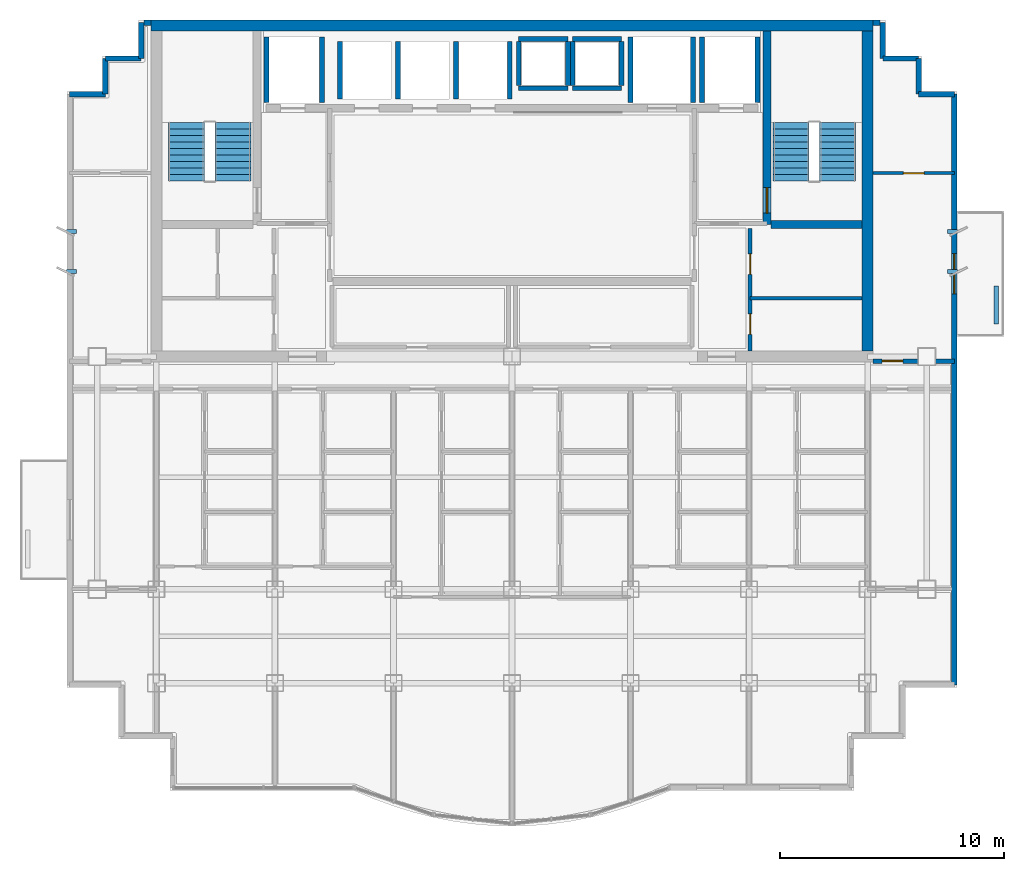
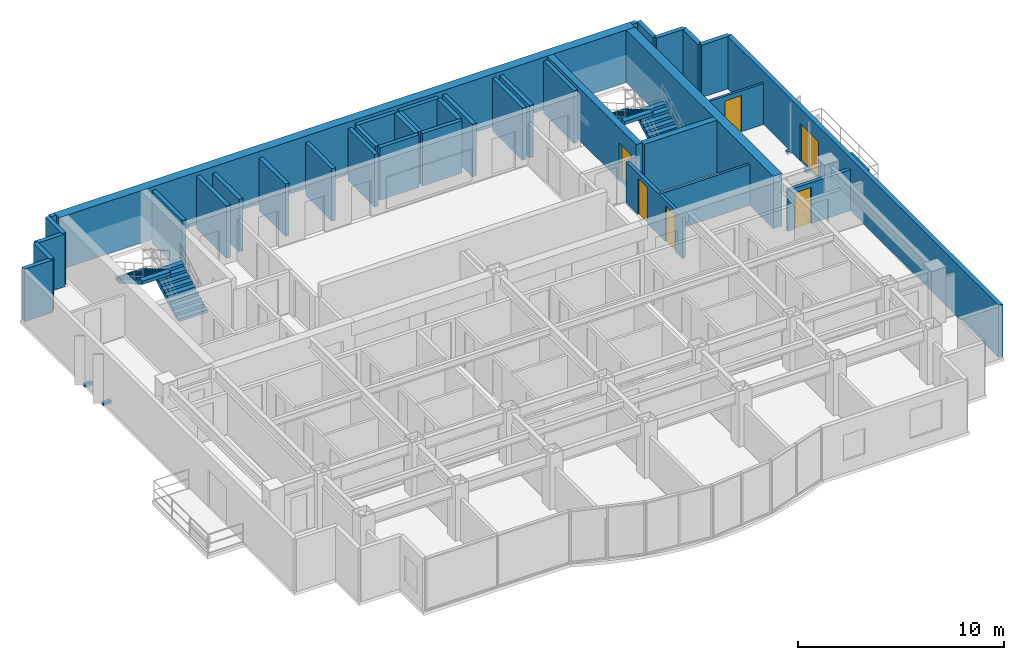
# One storey, part 7 of 9: 38 walls, 6 doors, 4 discrete accessories, 4 stair flights, 6 openings, 2 elements without a shape of their own.
"""IFC4 building model written with IfcOpenShell, lengths in metres."""

from ifc_helpers import new_model, si_unit, direction, frame, frame_2d, origin, origin_2d, place, context, subcontext, project, spatial, polyline, rectangle, outline, extrude, source, transform, mapped, material, layer, layer_set, type_object, element, fill, aggregate, save


model = new_model("IFC4")

# Units and contexts
model_context = context("Model", 3, precision=1e-05, world=origin(), true_north=direction((0.0, 1.0)))
body_context = subcontext(model_context, "Body", "Model", "MODEL_VIEW")
ifc_project = project(units=[si_unit("LENGTHUNIT", "METRE"), si_unit("AREAUNIT", "SQUARE_METRE"), si_unit("VOLUMEUNIT", "CUBIC_METRE"), si_unit("PLANEANGLEUNIT", "RADIAN"), si_unit("MASSUNIT", "GRAM", prefix="KILO")], contexts=[model_context])

# Site, building, storey
site_placement = place(None, origin())
site = spatial("IfcSite", under=ifc_project, at=site_placement, CompositionType="ELEMENT")
building_placement = place(site_placement, origin())
building = spatial("IfcBuilding", under=site, at=building_placement, Name="Qianlan Lanfeng Residences", CompositionType="ELEMENT")
storey_placement = place(building_placement, frame((0.0, 0.0, 229.699951171875)))
storey = spatial("IfcBuildingStorey", under=building, at=storey_placement, Name="L63", CompositionType="ELEMENT", Elevation=229.699951171875)

# Wall, opening, door
ifc_material_1 = material(Name="Concrete C49", Category="concrete")
ifc_layer_1 = layer(ifc_material_1, 0.35009765625)
ifc_layer_set_1 = layer_set([ifc_layer_1], Name="Concrete C49")
wall_type_1 = type_object("IfcWallType", Name="CW-RC-350", PredefinedType="SHEAR", material=ifc_layer_set_1)
wall_1_placement = place(storey_placement, frame((37.89990234375, 31.10009765625, 0.0), z_axis=(0.0, 0.0, 1.0), x_axis=(0.0, 1.0, 0.0)))
wall_1 = element("IfcWall", 1, at=wall_1_placement, inside=storey, type_object=wall_type_1, Name="L63 Core Shear Wall ST2W", PredefinedType="SHEAR", context=body_context, shape_type="SweptSolid", body=[
    extrude(rectangle(XDim=8.64990234375, YDim=0.35009765625, at=frame_2d((4.324951171875, 0.0))), origin(), (0.0, 0.0, 1.0), 3.110107421875),
])
opening_1_placement = place(wall_1_placement, frame((0.510009765625, 0.0, 0.0)))
opening_1 = element("IfcOpeningElement", 2, at=opening_1_placement, cuts=wall_1, Name="Opening L63-D08", PredefinedType="OPENING", context=body_context, shape_type="SweptSolid", body=[
    extrude(rectangle(XDim=1.14990234375, YDim=2.199951171875, at=frame_2d((0.574951171875, 1.10009765625))), frame((0.0, 0.18505859375, 0.0), z_axis=(0.0, -1.0, 0.0), x_axis=(1.0, 0.0, 0.0)), (0.0, 0.0, 1.0), 0.3701171875),
])
ifc_material_2 = material(Name="Painted Galvanised Steel Fire Door", Category="steel")
door_type_1 = type_object("IfcDoorType", Name="DT-ST1", OperationType="NOTDEFINED", PredefinedType="DOOR", material=ifc_material_2)
door_1_placement = place(opening_1_placement, origin())
door_1 = element("IfcDoor", 3, at=door_1_placement, inside=storey, type_object=door_type_1, Name="L63 Exit Stair ST-2 Door L63-D08 (DT-ST1)", OperationType="SINGLE_SWING_RIGHT", OverallHeight=2.199951171875, OverallWidth=1.14990234375, PredefinedType="DOOR", context=body_context, shape_type="SweptSolid", body=[
    extrude(rectangle(XDim=1.14990234375, YDim=2.199951171875, at=frame_2d((0.574951171875, 1.10009765625))), frame((0.0, 0.02490234375, 0.0), z_axis=(0.0, -1.0, 0.0), x_axis=(1.0, 0.0, 0.0)), (0.0, 0.0, 1.0), 0.050048828125),
])
fill(opening_1, door_1)

# Walls
wall_2_placement = place(storey_placement, frame((38.074951171875, 31.10009765625, 0.0), z_axis=(0.0, 0.0, 1.0), x_axis=(1.0, 0.0, 0.0)))
element("IfcWall", 4, at=wall_2_placement, inside=storey, type_object=wall_type_1, Name="L63 Core Shear Wall ST2S", PredefinedType="SHEAR", context=body_context, shape_type="SweptSolid", body=[
    extrude(rectangle(XDim=4.074951171875, YDim=0.35009765625, at=frame_2d((2.03759765625, 0.0))), origin(), (0.0, 0.0, 1.0), 3.110107421875),
])
ifc_material_3 = material(Name="Concrete C70", Category="concrete")
ifc_layer_2 = layer(ifc_material_3, 0.5)
ifc_layer_set_2 = layer_set([ifc_layer_2], Name="Concrete C70")
wall_type_2 = type_object("IfcWallType", Name="CW-RC-500", PredefinedType="SHEAR", material=ifc_layer_set_2)
wall_3_placement = place(storey_placement, frame((10.35009765625, 40.0, 0.0), z_axis=(0.0, 0.0, 1.0), x_axis=(1.0, 0.0, 0.0)))
element("IfcWall", 5, at=wall_3_placement, inside=storey, type_object=wall_type_2, Name="L63 Core Shear Wall N", PredefinedType="SHEAR", context=body_context, shape_type="SweptSolid", body=[
    extrude(rectangle(XDim=32.2998046875, YDim=0.5, at=frame_2d((16.14990234375, 0.0))), origin(), (0.0, 0.0, 1.0), 3.110107421875),
])
wall_4_placement = place(storey_placement, frame((42.39990234375, 25.449951171875, 0.0), z_axis=(0.0, 0.0, 1.0), x_axis=(0.0, 1.0, 0.0)))
element("IfcWall", 6, at=wall_4_placement, inside=storey, type_object=wall_type_2, Name="L63 Core Shear Wall E", PredefinedType="SHEAR", context=body_context, shape_type="SweptSolid", body=[
    extrude(rectangle(XDim=14.300048828125, YDim=0.5, at=frame_2d((7.14990234375, 0.0))), origin(), (0.0, 0.0, 1.0), 3.110107421875),
])

# Wall, opening, door
ifc_material_4 = material(Name="Concrete C42", Category="concrete")
ifc_layer_3 = layer(ifc_material_4, 0.239990234375)
ifc_layer_set_3 = layer_set([ifc_layer_3], Name="Concrete C42")
wall_type_3 = type_object("IfcWallType", Name="EW-240", PredefinedType="SOLIDWALL", material=ifc_layer_set_3)
wall_5_placement = place(storey_placement, frame((46.280029296875, 10.52001953125, 0.0), z_axis=(0.0, 0.0, 1.0), x_axis=(0.0, 1.0, 0.0)))
wall_5 = element("IfcWall", 7, at=wall_5_placement, inside=storey, type_object=wall_type_3, Name="L63 Terrace/Balcony Access Exterior Wall 10", PredefinedType="SOLIDWALL", context=body_context, shape_type="SweptSolid", body=[
    extrude(rectangle(XDim=26.409912109375, YDim=0.239990234375, at=frame_2d((13.205078125, 0.0))), origin(), (0.0, 0.0, 1.0), 3.110107421875),
])
opening_2_placement = place(wall_5_placement, frame((17.47998046875, 0.0, 0.0)))
opening_2 = element("IfcOpeningElement", 8, at=opening_2_placement, cuts=wall_5, Name="Opening L63-D-EB-N", PredefinedType="OPENING", context=body_context, shape_type="SweptSolid", body=[
    extrude(rectangle(XDim=1.800048828125, YDim=2.199951171875, at=frame_2d((0.89990234375, 1.10009765625))), frame((0.0, 0.1298828125, 0.0), z_axis=(0.0, -1.0, 0.0), x_axis=(1.0, 0.0, 0.0)), (0.0, 0.0, 1.0), 0.260009765625),
])
ifc_material_5 = material(Name="Anodised Bronze Aluminium Framed Glass", Category="aluminium")
door_type_2 = type_object("IfcDoorType", Name="DT-BAL1", OperationType="NOTDEFINED", PredefinedType="DOOR", material=ifc_material_5)
door_2_placement = place(opening_2_placement, frame((1.800048828125, 0.0, 0.0), z_axis=(0.0, 0.0, 1.0), x_axis=(-1.0, 0.0, 0.0)))
door_2 = element("IfcDoor", 9, at=door_2_placement, inside=storey, type_object=door_type_2, Name="L63 Exterior Access Door EB-N", OperationType="DOUBLE_DOOR_SLIDING", OverallHeight=2.199951171875, OverallWidth=1.800048828125, PredefinedType="DOOR", context=body_context, shape_type="SweptSolid", body=[
    extrude(rectangle(XDim=1.800048828125, YDim=2.199951171875, at=frame_2d((0.89990234375, 1.10009765625))), frame((0.0, 0.02490234375, 0.0), z_axis=(0.0, -1.0, 0.0), x_axis=(1.0, 0.0, 0.0)), (0.0, 0.0, 1.0), 0.050048828125),
])
fill(opening_2, door_2)

# Walls
for number, where, z_axis, x_axis, name in (
    (10, (46.280029296875, 36.929931640625, 0.0), (0.0, 0.0, 1.0), (-1.0, 0.0, 0.0), "L63 Exterior Facade Spandrel Wall 11"),
    (11, (44.679931640625, 36.929931640625, 0.0), (0.0, 0.0, 1.0), (0.0, 1.0, 0.0), "L63 Exterior Facade Spandrel Wall 12"),
):
    element("IfcWall", number, at=place(storey_placement, frame(where, z_axis=z_axis, x_axis=x_axis)), inside=storey, type_object=wall_type_3, Name=name, PredefinedType="SOLIDWALL", context=body_context, shape_type="SweptSolid", body=[
        extrude(rectangle(XDim=1.60009765625, YDim=0.239990234375, at=frame_2d((0.800048828125, 0.0))), origin(), (0.0, 0.0, 1.0), 3.110107421875),
    ])
for number, where, z_axis, x_axis, name in (
    (12, (44.679931640625, 38.530029296875, 0.0), (0.0, 0.0, 1.0), (-1.0, 0.0, 0.0), "L63 Exterior Facade Spandrel Wall 13"),
    (13, (43.080078125, 38.530029296875, 0.0), (0.0, 0.0, 1.0), (0.0, 1.0, 0.0), "L63 Exterior Facade Spandrel Wall 14"),
):
    element("IfcWall", number, at=place(storey_placement, frame(where, z_axis=z_axis, x_axis=x_axis)), inside=storey, type_object=wall_type_3, Name=name, PredefinedType="SOLIDWALL", context=body_context, shape_type="SweptSolid", body=[
        extrude(rectangle(XDim=1.599853515625, YDim=0.239990234375, at=frame_2d((0.7998046875, 0.0))), origin(), (0.0, 0.0, 1.0), 3.110107421875),
    ])
for number, where, z_axis, x_axis, name in (
    (14, (42.949951171875, 40.1298828125, 0.0), (0.0, 0.0, 1.0), (-1.0, 0.0, 0.0), "L63 North Wing Exterior Wall E"),
    (15, (10.35009765625, 40.1298828125, 0.0), (0.0, 0.0, 1.0), (-1.0, 0.0, 0.0), "L63 North Wing Exterior Wall W"),
):
    element("IfcWall", number, at=place(storey_placement, frame(where, z_axis=z_axis, x_axis=x_axis)), inside=storey, type_object=wall_type_3, Name=name, PredefinedType="SOLIDWALL", context=body_context, shape_type="SweptSolid", body=[
        extrude(rectangle(XDim=0.300048828125, YDim=0.239990234375, at=frame_2d((0.14990234375, 0.0))), origin(), (0.0, 0.0, 1.0), 3.110107421875),
    ])
for number, where, z_axis, x_axis, name in (
    (16, (9.919921875, 40.1298828125, 0.0), (0.0, 0.0, 1.0), (0.0, -1.0, 0.0), "L63 Exterior Facade Spandrel Wall 17"),
    (17, (9.919921875, 38.530029296875, 0.0), (0.0, 0.0, 1.0), (-1.0, 0.0, 0.0), "L63 Exterior Facade Spandrel Wall 18"),
):
    element("IfcWall", number, at=place(storey_placement, frame(where, z_axis=z_axis, x_axis=x_axis)), inside=storey, type_object=wall_type_3, Name=name, PredefinedType="SOLIDWALL", context=body_context, shape_type="SweptSolid", body=[
        extrude(rectangle(XDim=1.599853515625, YDim=0.239990234375, at=frame_2d((0.7998046875, 0.0))), origin(), (0.0, 0.0, 1.0), 3.110107421875),
    ])
for number, where, z_axis, x_axis, name in (
    (18, (8.320068359375, 38.530029296875, 0.0), (0.0, 0.0, 1.0), (0.0, -1.0, 0.0), "L63 Exterior Facade Spandrel Wall 19"),
    (19, (8.320068359375, 36.929931640625, 0.0), (0.0, 0.0, 1.0), (-1.0, 0.0, 0.0), "L63 Exterior Facade Spandrel Wall 20"),
):
    element("IfcWall", number, at=place(storey_placement, frame(where, z_axis=z_axis, x_axis=x_axis)), inside=storey, type_object=wall_type_3, Name=name, PredefinedType="SOLIDWALL", context=body_context, shape_type="SweptSolid", body=[
        extrude(rectangle(XDim=1.60009765625, YDim=0.239990234375, at=frame_2d((0.800048828125, 0.0))), origin(), (0.0, 0.0, 1.0), 3.110107421875),
    ])
ifc_layer_4 = layer(ifc_material_4, 0.199951171875)
ifc_layer_set_4 = layer_set([ifc_layer_4], Name="Concrete C42")
wall_type_4 = type_object("IfcWallType", Name="PL-TREE-200", PredefinedType="PARAPET", material=ifc_layer_set_4)
wall_6_placement = place(storey_placement, frame((48.14990234375, 26.64990234375, 0.0), z_axis=(0.0, 0.0, 1.0), x_axis=(0.0, 1.0, 0.0)))
element("IfcWall", 20, at=wall_6_placement, inside=storey, type_object=wall_type_4, Name="L63 East Tree Planter Curb EB-N", PredefinedType="PARAPET", context=body_context, shape_type="SweptSolid", body=[
    extrude(rectangle(XDim=1.7001953125, YDim=0.199951171875, at=frame_2d((0.85009765625, 0.0))), origin(), (0.0, 0.0, 1.0), 0.650146484375),
])

# Wall, opening, door
ifc_material_6 = material(Name="Moisture-Resistant Gypsum Partition 135 mm")
ifc_layer_5 = layer(ifc_material_6, 0.135009765625)
ifc_layer_set_5 = layer_set([ifc_layer_5], Name="Moisture-Resistant Gypsum Partition 135 mm")
wall_type_5 = type_object("IfcWallType", Name="PW-135", PredefinedType="PARTITIONING", material=ifc_layer_set_5)
wall_7_placement = place(storey_placement, frame((42.64990234375, 33.39990234375, 0.0), z_axis=(0.0, 0.0, 1.0), x_axis=(1.0, 0.0, 0.0)))
wall_7 = element("IfcWall", 21, at=wall_7_placement, inside=storey, type_object=wall_type_5, Name="L63 EW North Wing Wall", PredefinedType="PARTITIONING", context=body_context, shape_type="SweptSolid", body=[
    extrude(rectangle(XDim=3.630126953125, YDim=0.135009765625, at=frame_2d((1.81494140625, 0.0))), origin(), (0.0, 0.0, 1.0), 2.429931640625),
])
opening_3_placement = place(wall_7_placement, frame((1.35498046875, 0.0, 0.0)))
opening_3 = element("IfcOpeningElement", 22, at=opening_3_placement, cuts=wall_7, Name="Opening L63-D54", PredefinedType="OPENING", context=body_context, shape_type="SweptSolid", body=[
    extrude(rectangle(XDim=0.919921875, YDim=2.14990234375, at=frame_2d((0.4599609375, 1.074951171875))), frame((0.0, 0.07763671875, 0.0), z_axis=(0.0, -1.0, 0.0), x_axis=(1.0, 0.0, 0.0)), (0.0, 0.0, 1.0), 0.155029296875),
])
ifc_material_7 = material(Name="Glazed Timber Kitchen/Study Door", Category="wood")
door_type_3 = type_object("IfcDoorType", Name="DT-INT", OperationType="NOTDEFINED", PredefinedType="DOOR", material=ifc_material_7)
door_3_placement = place(opening_3_placement, origin())
door_3 = element("IfcDoor", 23, at=door_3_placement, inside=storey, type_object=door_type_3, Name="L63 EW Inner Salon Door L63-D54 (DT-INT)", OperationType="SINGLE_SWING_LEFT", OverallHeight=2.14990234375, OverallWidth=0.919921875, PredefinedType="DOOR", context=body_context, shape_type="SweptSolid", body=[
    extrude(rectangle(XDim=0.919921875, YDim=2.14990234375, at=frame_2d((0.4599609375, 1.074951171875))), frame((0.0, 0.02490234375, 0.0), z_axis=(0.0, -1.0, 0.0), x_axis=(1.0, 0.0, 0.0)), (0.0, 0.0, 1.0), 0.050048828125),
])
fill(opening_3, door_3)

# Wall
ifc_material_8 = material(Name="Acoustic Drywall Partition 150 mm")
ifc_layer_6 = layer(ifc_material_8, 0.14990234375)
ifc_layer_set_6 = layer_set([ifc_layer_6], Name="Acoustic Drywall Partition 150 mm")
wall_type_6 = type_object("IfcWallType", Name="PW-150", PredefinedType="PARTITIONING", material=ifc_layer_set_6)
wall_8_placement = place(storey_placement, frame((37.14990234375, 27.800048828125, 0.0), z_axis=(0.0, 0.0, 1.0), x_axis=(1.0, 0.0, 0.0)))
element("IfcWall", 24, at=wall_8_placement, inside=storey, type_object=wall_type_6, Name="L63 Core East H4", PredefinedType="PARTITIONING", context=body_context, shape_type="SweptSolid", body=[
    extrude(rectangle(XDim=5.0, YDim=0.14990234375, at=frame_2d((2.5, 0.0))), origin(), (0.0, 0.0, 1.0), 2.429931640625),
])

# Wall, openings, doors
ifc_material_9 = material(Name="Double-Layer Acoustic Gypsum Stud Wall 180 mm")
ifc_layer_7 = layer(ifc_material_9, 0.179931640625)
ifc_layer_set_7 = layer_set([ifc_layer_7], Name="Double-Layer Acoustic Gypsum Stud Wall 180 mm")
wall_type_7 = type_object("IfcWallType", Name="PW-180", PredefinedType="PARTITIONING", material=ifc_layer_set_7)
wall_9_placement = place(storey_placement, frame((37.14990234375, 25.449951171875, 0.0), z_axis=(0.0, 0.0, 1.0), x_axis=(0.0, 1.0, 0.0)))
wall_9 = element("IfcWall", 25, at=wall_9_placement, inside=storey, type_object=wall_type_7, Name="L63 Core East Service Room Wall", PredefinedType="PARTITIONING", context=body_context, shape_type="SweptSolid", body=[
    extrude(rectangle(XDim=5.47509765625, YDim=0.179931640625, at=frame_2d((2.737548828125, 0.0))), origin(), (0.0, 0.0, 1.0), 2.429931640625),
])
opening_4_placement = place(wall_9_placement, frame((0.739990234375, 0.0, 0.0)))
opening_4 = element("IfcOpeningElement", 26, at=opening_4_placement, cuts=wall_9, Name="Opening L63-D12", PredefinedType="OPENING", context=body_context, shape_type="SweptSolid", body=[
    extrude(rectangle(XDim=0.919921875, YDim=2.14990234375, at=frame_2d((0.4599609375, 1.074951171875))), frame((0.0, 0.10009765625, 0.0), z_axis=(0.0, -1.0, 0.0), x_axis=(1.0, 0.0, 0.0)), (0.0, 0.0, 1.0), 0.199951171875),
])
opening_5_placement = place(wall_9_placement, frame((3.427001953125, 0.0, 0.0)))
opening_5 = element("IfcOpeningElement", 27, at=opening_5_placement, cuts=wall_9, Name="Opening L63-D13", PredefinedType="OPENING", context=body_context, shape_type="SweptSolid", body=[
    extrude(rectangle(XDim=0.919921875, YDim=2.14990234375, at=frame_2d((0.4599609375, 1.074951171875))), frame((0.0, 0.10009765625, 0.0), z_axis=(0.0, -1.0, 0.0), x_axis=(1.0, 0.0, 0.0)), (0.0, 0.0, 1.0), 0.199951171875),
])
door_4_placement = place(opening_4_placement, origin())
door_4 = element("IfcDoor", 28, at=door_4_placement, inside=storey, type_object=door_type_3, Name="L63 Mail Closet Door L63-D12 (DT-INT)", OperationType="SINGLE_SWING_LEFT", OverallHeight=2.14990234375, OverallWidth=0.919921875, PredefinedType="DOOR", context=body_context, shape_type="SweptSolid", body=[
    extrude(rectangle(XDim=0.919921875, YDim=2.14990234375, at=frame_2d((0.4599609375, 1.074951171875))), frame((0.0, 0.02490234375, 0.0), z_axis=(0.0, -1.0, 0.0), x_axis=(1.0, 0.0, 0.0)), (0.0, 0.0, 1.0), 0.050048828125),
])
fill(opening_4, door_4)
door_5_placement = place(opening_5_placement, origin())
door_5 = element("IfcDoor", 29, at=door_5_placement, inside=storey, type_object=door_type_3, Name="L63 Refuse Closet Door L63-D13 (DT-INT)", OperationType="SINGLE_SWING_RIGHT", OverallHeight=2.14990234375, OverallWidth=0.919921875, PredefinedType="DOOR", context=body_context, shape_type="SweptSolid", body=[
    extrude(rectangle(XDim=0.919921875, YDim=2.14990234375, at=frame_2d((0.4599609375, 1.074951171875))), frame((0.0, 0.02490234375, 0.0), z_axis=(0.0, -1.0, 0.0), x_axis=(1.0, 0.0, 0.0)), (0.0, 0.0, 1.0), 0.050048828125),
])
fill(opening_5, door_5)

# Wall, opening, door
ifc_material_10 = material(Name="Autoclaved Aerated Concrete Blockwork 200 mm", Category="masonry")
ifc_layer_8 = layer(ifc_material_10, 0.199951171875)
ifc_layer_set_8 = layer_set([ifc_layer_8], Name="Autoclaved Aerated Concrete Blockwork 200 mm")
wall_type_8 = type_object("IfcWallType", Name="PW-200", PredefinedType="PARTITIONING", material=ifc_layer_set_8)
wall_10_placement = place(storey_placement, frame((42.64990234375, 25.0, 0.0), z_axis=(0.0, 0.0, 1.0), x_axis=(1.0, 0.0, 0.0)))
wall_10 = element("IfcWall", 30, at=wall_10_placement, inside=storey, type_object=wall_type_8, Name="L63 Corridor NE Wall", PredefinedType="PARTITIONING", context=body_context, shape_type="SweptSolid", body=[
    extrude(rectangle(XDim=3.630126953125, YDim=0.199951171875, at=frame_2d((1.81494140625, 0.0))), origin(), (0.0, 0.0, 1.0), 2.429931640625),
])
opening_6_placement = place(wall_10_placement, frame((0.405029296875, 0.0, 0.0)))
opening_6 = element("IfcOpeningElement", 31, at=opening_6_placement, cuts=wall_10, Name="Opening L63-D55", PredefinedType="OPENING", context=body_context, shape_type="SweptSolid", body=[
    extrude(rectangle(XDim=0.919921875, YDim=2.14990234375, at=frame_2d((0.4599609375, 1.074951171875))), frame((0.0, 0.10986328125, 0.0), z_axis=(0.0, -1.0, 0.0), x_axis=(1.0, 0.0, 0.0)), (0.0, 0.0, 1.0), 0.219970703125),
])
door_6_placement = place(opening_6_placement, frame((0.919921875, 0.0, 0.0), z_axis=(0.0, 0.0, 1.0), x_axis=(-1.0, 0.0, 0.0)))
door_6 = element("IfcDoor", 32, at=door_6_placement, inside=storey, type_object=door_type_3, Name="L63 EW Amenity Salon Door L63-D55 (DT-INT)", OperationType="SINGLE_SWING_RIGHT", OverallHeight=2.14990234375, OverallWidth=0.919921875, PredefinedType="DOOR", context=body_context, shape_type="SweptSolid", body=[
    extrude(rectangle(XDim=0.919921875, YDim=2.14990234375, at=frame_2d((0.4599609375, 1.074951171875))), frame((0.0, 0.02490234375, 0.0), z_axis=(0.0, -1.0, 0.0), x_axis=(1.0, 0.0, 0.0)), (0.0, 0.0, 1.0), 0.050048828125),
])
fill(opening_6, door_6)

# Walls
ifc_layer_9 = layer(ifc_material_1, 0.219970703125)
ifc_layer_set_9 = layer_set([ifc_layer_9], Name="Concrete C49")
wall_type_9 = type_object("IfcWallType", Name="SHW-220", PredefinedType="SOLIDWALL", material=ifc_layer_set_9)
for number, where, z_axis, x_axis, name in (
    (33, (15.52001953125, 36.550048828125, 0.0), (0.0, 0.0, 1.0), (0.0, 1.0, 0.0), "L63 Lift FFL-1 Shaft Wall W"),
    (34, (18.0, 36.550048828125, 0.0), (0.0, 0.0, 1.0), (0.0, 1.0, 0.0), "L63 Lift FFL-1 Shaft Wall E"),
    (35, (35.0, 36.550048828125, 0.0), (0.0, 0.0, 1.0), (0.0, 1.0, 0.0), "L63 Lift FFL-2 Shaft Wall W"),
    (36, (37.47998046875, 36.550048828125, 0.0), (0.0, 0.0, 1.0), (0.0, 1.0, 0.0), "L63 Lift FFL-2 Shaft Wall E"),
    (37, (31.800048828125, 36.550048828125, 0.0), (0.0, 0.0, 1.0), (0.0, 1.0, 0.0), "L63 Lift SVL-1 Shaft Wall W"),
    (38, (34.60009765625, 36.550048828125, 0.0), (0.0, 0.0, 1.0), (0.0, 1.0, 0.0), "L63 Lift SVL-1 Shaft Wall E"),
):
    element("IfcWall", number, at=place(storey_placement, frame(where, z_axis=z_axis, x_axis=x_axis)), inside=storey, type_object=wall_type_9, Name=name, PredefinedType="SOLIDWALL", context=body_context, shape_type="SweptSolid", body=[
        extrude(rectangle(XDim=2.929931640625, YDim=0.219970703125, at=frame_2d((1.46484375, 0.0))), origin(), (0.0, 0.0, 1.0), 3.110107421875),
    ])
for number, where, z_axis, x_axis, name in (
    (39, (18.800048828125, 36.719970703125, 0.0), (0.0, 0.0, 1.0), (0.0, 1.0, 0.0), "L63 Lift PL-H1 Shaft Wall W"),
    (40, (21.39990234375, 36.719970703125, 0.0), (0.0, 0.0, 1.0), (0.0, 1.0, 0.0), "L63 Lift PL-H2 Shaft Wall W"),
    (41, (24.0, 36.719970703125, 0.0), (0.0, 0.0, 1.0), (0.0, 1.0, 0.0), "L63 Lift PL-H3 Shaft Wall W"),
    (42, (26.39990234375, 36.719970703125, 0.0), (0.0, 0.0, 1.0), (0.0, 1.0, 0.0), "L63 Lift PL-H3 Shaft Wall E"),
):
    element("IfcWall", number, at=place(storey_placement, frame(where, z_axis=z_axis, x_axis=x_axis)), inside=storey, type_object=wall_type_9, Name=name, PredefinedType="SOLIDWALL", context=body_context, shape_type="SweptSolid", body=[
        extrude(rectangle(XDim=2.56005859375, YDim=0.219970703125, at=frame_2d((1.280029296875, 0.0))), origin(), (0.0, 0.0, 1.0), 3.110107421875),
    ])
for number, where, z_axis, x_axis, name in (
    (43, (26.800048828125, 37.31005859375, 0.0), (0.0, 0.0, 1.0), (0.0, 1.0, 0.0), "L63 MEP Riser MEP-R1 Shaft Wall W"),
    (44, (29.0, 37.31005859375, 0.0), (0.0, 0.0, 1.0), (0.0, 1.0, 0.0), "L63 MEP Riser MEP-R1 Shaft Wall E"),
):
    element("IfcWall", number, at=place(storey_placement, frame(where, z_axis=z_axis, x_axis=x_axis)), inside=storey, type_object=wall_type_9, Name=name, PredefinedType="SOLIDWALL", context=body_context, shape_type="SweptSolid", body=[
        extrude(rectangle(XDim=1.97998046875, YDim=0.219970703125, at=frame_2d((0.989990234375, 0.0))), origin(), (0.0, 0.0, 1.0), 3.110107421875),
    ])
for number, where, z_axis, x_axis, name in (
    (45, (26.800048828125, 39.39990234375, 0.0), (0.0, 0.0, 1.0), (1.0, 0.0, 0.0), "L63 MEP Riser MEP-R1 Shaft Wall N"),
    (46, (26.800048828125, 37.199951171875, 0.0), (0.0, 0.0, 1.0), (1.0, 0.0, 0.0), "L63 MEP Riser MEP-R1 Shaft Wall S"),
):
    element("IfcWall", number, at=place(storey_placement, frame(where, z_axis=z_axis, x_axis=x_axis)), inside=storey, type_object=wall_type_9, Name=name, PredefinedType="SOLIDWALL", context=body_context, shape_type="SweptSolid", body=[
        extrude(rectangle(XDim=2.199951171875, YDim=0.219970703125, at=frame_2d((1.10009765625, 0.0))), origin(), (0.0, 0.0, 1.0), 3.110107421875),
    ])
for number, where, z_axis, x_axis, name in (
    (47, (29.199951171875, 37.31005859375, 0.0), (0.0, 0.0, 1.0), (0.0, 1.0, 0.0), "L63 MEP Riser MEP-R2 Shaft Wall W"),
    (48, (31.39990234375, 37.31005859375, 0.0), (0.0, 0.0, 1.0), (0.0, 1.0, 0.0), "L63 MEP Riser MEP-R2 Shaft Wall E"),
):
    element("IfcWall", number, at=place(storey_placement, frame(where, z_axis=z_axis, x_axis=x_axis)), inside=storey, type_object=wall_type_9, Name=name, PredefinedType="SOLIDWALL", context=body_context, shape_type="SweptSolid", body=[
        extrude(rectangle(XDim=1.97998046875, YDim=0.219970703125, at=frame_2d((0.989990234375, 0.0))), origin(), (0.0, 0.0, 1.0), 3.110107421875),
    ])
for number, where, z_axis, x_axis, name in (
    (49, (29.199951171875, 39.39990234375, 0.0), (0.0, 0.0, 1.0), (1.0, 0.0, 0.0), "L63 MEP Riser MEP-R2 Shaft Wall N"),
    (50, (29.199951171875, 37.199951171875, 0.0), (0.0, 0.0, 1.0), (1.0, 0.0, 0.0), "L63 MEP Riser MEP-R2 Shaft Wall S"),
):
    element("IfcWall", number, at=place(storey_placement, frame(where, z_axis=z_axis, x_axis=x_axis)), inside=storey, type_object=wall_type_9, Name=name, PredefinedType="SOLIDWALL", context=body_context, shape_type="SweptSolid", body=[
        extrude(rectangle(XDim=2.199951171875, YDim=0.219970703125, at=frame_2d((1.10009765625, 0.0))), origin(), (0.0, 0.0, 1.0), 3.110107421875),
    ])

# Stair, stair flights
stair_type = type_object("IfcStairType", Name="STR-MAIN", PredefinedType="HALF_TURN_STAIR", material=ifc_material_4)
stair_1_placement = place(storey_placement, origin())
stair_1 = element("IfcStair", 51, at=stair_1_placement, inside=storey, type_object=stair_type, Name="L63 Exit Stair ST-1", PredefinedType="HALF_TURN_STAIR")
stair_flight_type = type_object("IfcStairFlightType", Name="FLT-1720", PredefinedType="STRAIGHT", material=ifc_material_4)
stair_flight_1_placement = place(storey_placement, frame((14.02001953125, 33.050048828125, 0.0), z_axis=(0.0, 0.0, 1.0), x_axis=(0.0, 1.0, 0.0)))
stair_flight_1 = element("IfcStairFlight", 52, at=stair_flight_1_placement, type_object=stair_flight_type, Name="ST-1 flight 1", NumberOfRisers=10, NumberOfTreads=9, PredefinedType="STRAIGHT", RiserHeight=0.165, TreadLength=0.29, context=body_context, shape_type="SweptSolid", body=[
    extrude(outline(polyline([(0.0, 0.0), (0.0, 0.1650390625), (0.2900390625, 0.1650390625), (0.2900390625, 0.330078125), (0.580078125, 0.330078125), (0.580078125, 0.4951171875), (0.8701171875, 0.4951171875), (0.8701171875, 0.659912109375), (1.159912109375, 0.659912109375), (1.159912109375, 0.824951171875), (1.449951171875, 0.824951171875), (1.449951171875, 0.989990234375), (1.739990234375, 0.989990234375), (1.739990234375, 1.155029296875), (2.030029296875, 1.155029296875), (2.030029296875, 1.320068359375), (2.320068359375, 1.320068359375), (2.320068359375, 1.485107421875), (2.610107421875, 1.485107421875), (2.610107421875, 1.64990234375), (2.610107421875, 1.278076171875), (0.36376953125, 0.0), (0.0, 0.0)])), frame((0.0, 0.800048828125, 0.0), z_axis=(0.0, -1.0, 0.0), x_axis=(1.0, 0.0, 0.0)), (0.0, 0.0, 1.0), 1.60009765625),
])
stair_flight_2_placement = place(storey_placement, frame((11.93994140625, 35.659912109375, 1.650146484375), z_axis=(0.0, 0.0, 1.0), x_axis=(0.0, -1.0, 0.0)))
stair_flight_2 = element("IfcStairFlight", 53, at=stair_flight_2_placement, type_object=stair_flight_type, Name="ST-1 flight 2", NumberOfRisers=10, NumberOfTreads=9, PredefinedType="STRAIGHT", RiserHeight=0.165, TreadLength=0.29, context=body_context, shape_type="SweptSolid", body=[
    extrude(outline(polyline([(0.0, 0.0), (0.0, 0.1650390625), (0.2900390625, 0.1650390625), (0.2900390625, 0.330078125), (0.580078125, 0.330078125), (0.580078125, 0.4951171875), (0.8701171875, 0.4951171875), (0.8701171875, 0.659912109375), (1.159912109375, 0.659912109375), (1.159912109375, 0.824951171875), (1.449951171875, 0.824951171875), (1.449951171875, 0.989990234375), (1.739990234375, 0.989990234375), (1.739990234375, 1.155029296875), (2.030029296875, 1.155029296875), (2.030029296875, 1.320068359375), (2.320068359375, 1.320068359375), (2.320068359375, 1.485107421875), (2.610107421875, 1.485107421875), (2.610107421875, 1.64990234375), (2.610107421875, 1.278076171875), (0.36376953125, 0.0), (0.0, 0.0)])), frame((0.0, 0.800048828125, 0.0), z_axis=(0.0, -1.0, 0.0), x_axis=(1.0, 0.0, 0.0)), (0.0, 0.0, 1.0), 1.60009765625),
])
aggregate(stair_1, [stair_flight_1, stair_flight_2])

stair_2_placement = place(storey_placement, origin())
stair_2 = element("IfcStair", 54, at=stair_2_placement, inside=storey, type_object=stair_type, Name="L63 Exit Stair ST-2", PredefinedType="HALF_TURN_STAIR")
stair_flight_3_placement = place(storey_placement, frame((41.06005859375, 33.050048828125, 0.0), z_axis=(0.0, 0.0, 1.0), x_axis=(0.0, 1.0, 0.0)))
stair_flight_3 = element("IfcStairFlight", 55, at=stair_flight_3_placement, type_object=stair_flight_type, Name="ST-2 flight 1", NumberOfRisers=10, NumberOfTreads=9, PredefinedType="STRAIGHT", RiserHeight=0.165, TreadLength=0.29, context=body_context, shape_type="SweptSolid", body=[
    extrude(outline(polyline([(0.0, 0.0), (0.0, 0.1650390625), (0.2900390625, 0.1650390625), (0.2900390625, 0.330078125), (0.580078125, 0.330078125), (0.580078125, 0.4951171875), (0.8701171875, 0.4951171875), (0.8701171875, 0.659912109375), (1.159912109375, 0.659912109375), (1.159912109375, 0.824951171875), (1.449951171875, 0.824951171875), (1.449951171875, 0.989990234375), (1.739990234375, 0.989990234375), (1.739990234375, 1.155029296875), (2.030029296875, 1.155029296875), (2.030029296875, 1.320068359375), (2.320068359375, 1.320068359375), (2.320068359375, 1.485107421875), (2.610107421875, 1.485107421875), (2.610107421875, 1.64990234375), (2.610107421875, 1.278076171875), (0.36376953125, 0.0), (0.0, 0.0)])), frame((0.0, 0.800048828125, 0.0), z_axis=(0.0, -1.0, 0.0), x_axis=(1.0, 0.0, 0.0)), (0.0, 0.0, 1.0), 1.60009765625),
])
stair_flight_4_placement = place(storey_placement, frame((38.97998046875, 35.659912109375, 1.650146484375), z_axis=(0.0, 0.0, 1.0), x_axis=(0.0, -1.0, 0.0)))
stair_flight_4 = element("IfcStairFlight", 56, at=stair_flight_4_placement, type_object=stair_flight_type, Name="ST-2 flight 2", NumberOfRisers=10, NumberOfTreads=9, PredefinedType="STRAIGHT", RiserHeight=0.165, TreadLength=0.29, context=body_context, shape_type="SweptSolid", body=[
    extrude(outline(polyline([(0.0, 0.0), (0.0, 0.1650390625), (0.2900390625, 0.1650390625), (0.2900390625, 0.330078125), (0.580078125, 0.330078125), (0.580078125, 0.4951171875), (0.8701171875, 0.4951171875), (0.8701171875, 0.659912109375), (1.159912109375, 0.659912109375), (1.159912109375, 0.824951171875), (1.449951171875, 0.824951171875), (1.449951171875, 0.989990234375), (1.739990234375, 0.989990234375), (1.739990234375, 1.155029296875), (2.030029296875, 1.155029296875), (2.030029296875, 1.320068359375), (2.320068359375, 1.320068359375), (2.320068359375, 1.485107421875), (2.610107421875, 1.485107421875), (2.610107421875, 1.64990234375), (2.610107421875, 1.278076171875), (0.36376953125, 0.0), (0.0, 0.0)])), frame((0.0, 0.800048828125, 0.0), z_axis=(0.0, -1.0, 0.0), x_axis=(1.0, 0.0, 0.0)), (0.0, 0.0, 1.0), 1.60009765625),
])
aggregate(stair_2, [stair_flight_3, stair_flight_4])

# Discrete accessories
ifc_material_11 = material(Name="Stainless Steel Facade Bracket", Category="steel")
discrete_accessory_type = type_object("IfcDiscreteAccessoryType", Name="BRK-SS-350", PredefinedType="BRACKET", material=ifc_material_11)
shared_shape = source(origin(), body_context, "Body", "SweptSolid", [
    extrude(rectangle(XDim=0.449951171875, YDim=0.179931640625, at=origin_2d()), origin(), (0.0, 0.0, 1.0), 0.179931640625),
])
for number, where, z_axis, x_axis, name in (
    (57, (6.800048828125, 29.0, -0.14990234375), (0.0, 0.0, 1.0), (1.0, 0.0, 0.0), "L63 Raked Solar Fin Support Bracket W1"),
    (58, (6.800048828125, 30.800048828125, -0.14990234375), (0.0, 0.0, 1.0), (1.0, 0.0, 0.0), "L63 Raked Solar Fin Support Bracket W2"),
    (59, (46.199951171875, 29.0, -0.14990234375), (0.0, 0.0, 1.0), (1.0, 0.0, 0.0), "L63 Raked Solar Fin Support Bracket E1"),
    (60, (46.199951171875, 30.800048828125, -0.14990234375), (0.0, 0.0, 1.0), (1.0, 0.0, 0.0), "L63 Raked Solar Fin Support Bracket E2"),
):
    element("IfcDiscreteAccessory", number, at=place(storey_placement, frame(where, z_axis=z_axis, x_axis=x_axis)), inside=storey, type_object=discrete_accessory_type, Name=name, PredefinedType="BRACKET", context=body_context, shape_type="MappedRepresentation", body=[
        mapped(shared_shape, transform((0.0, 0.0, 0.0), scale=1.0)),
    ])

save(model, "model.ifc")
